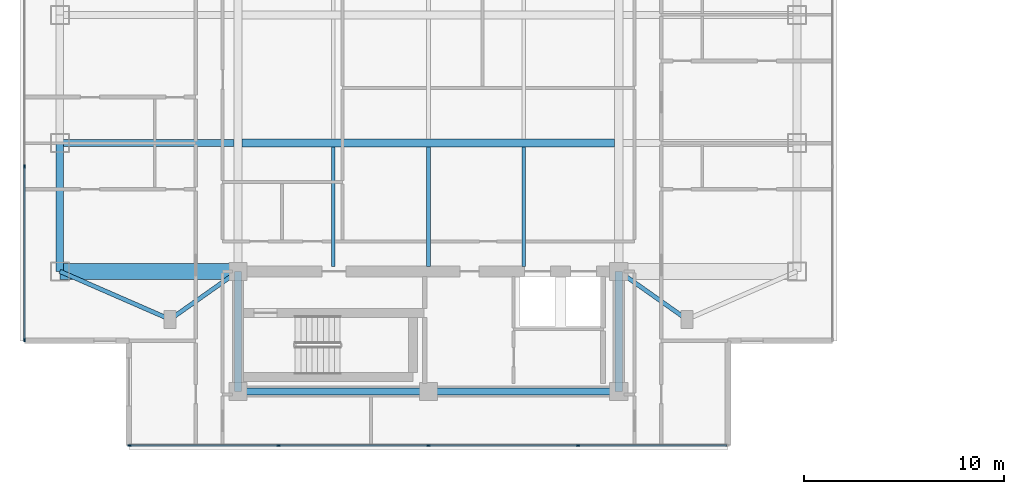
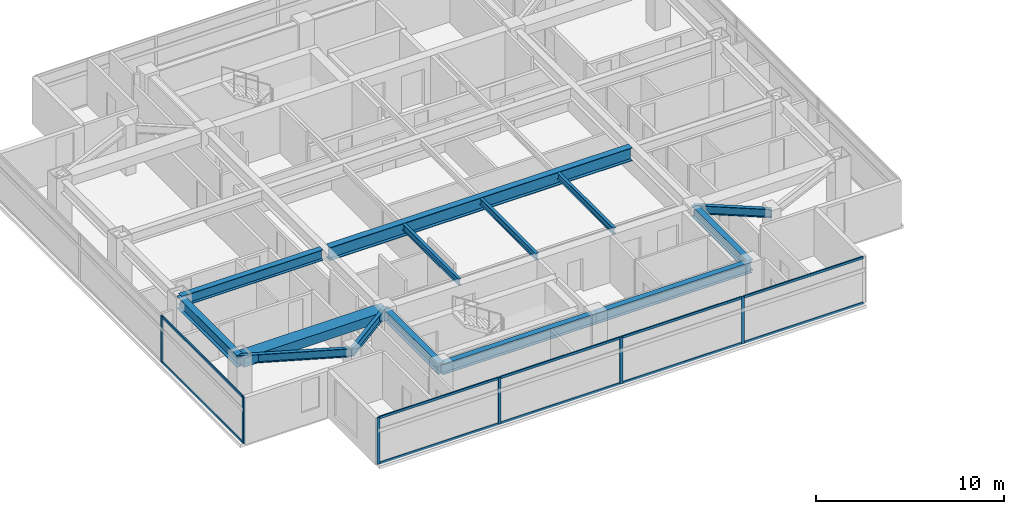
# One storey, part 2 of 24: 16 members, 14 beams, 2 elements without a shape of their own.
"""IFC4 building model written with IfcOpenShell, lengths in metres."""

import ifcopenshell
import ifcopenshell.guid

model = None  # the IFC model being written
_history = None  # IfcOwnerHistory: only IFC2X3 demands one
_inside = {}  # id of a spatial element -> (the spatial element, [elements in it])
_under = {}  # id of a project, library or spatial element -> (it, [spatial elements below it])
_declared = {}  # id of a project -> (the project, [libraries it declares])
_typed = {}  # id of a type object -> (the type object, [elements of that type])
_made_of = {}  # id of a material, layer set ... -> (it, [elements and type objects made of it])


def new_model(schema):
    """Start an empty IFC model of exactly this schema.

    Asked for "IFC4X3", IfcOpenShell would pick the latest addendum, in which some entities
    have other attributes; the version numbers below select the first issue.
    IFC2X3 requires an IfcOwnerHistory on every rooted entity: one is made here for all.
    """
    global model, _history
    if schema == "IFC4X3":
        model = ifcopenshell.file(schema_version=(4, 3, 0, 0))
    else:
        model = ifcopenshell.file(schema=schema)
    _inside.clear()
    _under.clear()
    _declared.clear()
    _typed.clear()
    _made_of.clear()
    _history = None
    if model.schema == "IFC2X3":
        org = make("IfcOrganization", Name="unknown")
        user = make(
            "IfcPersonAndOrganization",
            ThePerson=make("IfcPerson", FamilyName="unknown"),
            TheOrganization=org,
        )
        app = make(
            "IfcApplication",
            ApplicationDeveloper=org,
            Version="unknown",
            ApplicationFullName="unknown",
            ApplicationIdentifier="unknown",
        )
        _history = make(
            "IfcOwnerHistory",
            OwningUser=user,
            OwningApplication=app,
            ChangeAction="ADDED",
            CreationDate=0,
        )
    return model


def make(cls, **values):
    """One entity of the class cls with the attributes given. An attribute that is None is left unset."""
    return model.create_entity(
        cls, **{name: value for name, value in values.items() if value is not None}
    )


def rooted(cls, **values):
    """An entity with a GlobalId (a new one), such as an element, a storey or a relation."""
    return make(cls, GlobalId=ifcopenshell.guid.new(), OwnerHistory=_history, **values)


def si_unit(unit_type, name, prefix=None):
    """IfcSIUnit, for example si_unit("LENGTHUNIT", "METRE", prefix="MILLI")."""
    return make("IfcSIUnit", UnitType=unit_type, Prefix=prefix, Name=name)


def assignment(units):
    """IfcUnitAssignment: the units of a project."""
    return None if units is None else make("IfcUnitAssignment", Units=units)


def point(xyz):
    """IfcCartesianPoint."""
    return None if xyz is None else make("IfcCartesianPoint", Coordinates=xyz)


def direction(xyz):
    """IfcDirection."""
    return None if xyz is None else make("IfcDirection", DirectionRatios=xyz)


def frame(location, z_axis=None, x_axis=None):
    """IfcAxis2Placement3D, a coordinate frame: its origin and axes. An axis left out is left unset."""
    return make(
        "IfcAxis2Placement3D",
        Location=point(location),
        Axis=direction(z_axis),
        RefDirection=direction(x_axis),
    )


def frame_2d(location, x_axis=None):
    """IfcAxis2Placement2D, a coordinate frame in the plane: its origin and x axis."""
    return make(
        "IfcAxis2Placement2D", Location=point(location), RefDirection=direction(x_axis)
    )


def origin():
    """The frame at (0, 0, 0) with its axes left unset."""
    return frame((0.0, 0.0, 0.0))


def origin_2d():
    """The frame at (0, 0) in the plane with its x axis left unset."""
    return frame_2d((0.0, 0.0))


def place(relative_to, where):
    """IfcLocalPlacement: puts the frame where relative to a parent placement (None: the world)."""
    return make(
        "IfcLocalPlacement", PlacementRelTo=relative_to, RelativePlacement=where
    )


def context(
    kind, dimensions, precision=None, world=None, true_north=None, identifier=None
):
    """IfcGeometricRepresentationContext, for example the 3D "Model" context."""
    return make(
        "IfcGeometricRepresentationContext",
        ContextIdentifier=identifier,
        ContextType=kind,
        CoordinateSpaceDimension=dimensions,
        Precision=precision,
        WorldCoordinateSystem=world,
        TrueNorth=true_north,
    )


def subcontext(parent, identifier, kind, view, scale=None):
    """IfcGeometricRepresentationSubContext, for example "Body" below "Model"."""
    return make(
        "IfcGeometricRepresentationSubContext",
        ContextIdentifier=identifier,
        ContextType=kind,
        ParentContext=parent,
        TargetScale=scale,
        TargetView=view,
    )


def project(units=None, contexts=None):
    """IfcProject with its units and contexts."""
    return rooted(
        "IfcProject",
        Name="project",
        RepresentationContexts=contexts,
        UnitsInContext=assignment(units),
    )


def spatial(cls, under=None, at=None, **own):
    """A site, building, storey or space (cls), placed at a placement, below another one or the project."""
    s = rooted(cls, ObjectPlacement=at, **own)
    if under is not None:
        _under.setdefault(under.id(), (under, []))[1].append(s)
    return s


def profile(cls, at=None, kind="AREA", **sizes):
    """A parametric profile (cls). Its sizes go by their IFC names, for example OverallWidth=200.0."""
    return make(cls, ProfileType=kind, Position=at, **sizes)


def rectangle(**sizes):
    """IfcRectangleProfileDef."""
    return profile("IfcRectangleProfileDef", **sizes)


def i_section(**sizes):
    """IfcIShapeProfileDef."""
    return profile("IfcIShapeProfileDef", **sizes)


def extrude(swept, where, along, depth):
    """IfcExtrudedAreaSolid: the profile swept, set in the frame where, extruded along a direction by depth."""
    return make(
        "IfcExtrudedAreaSolid",
        SweptArea=swept,
        Position=where,
        ExtrudedDirection=direction(along),
        Depth=depth,
    )


def shape(context_of_items, identifier, shape_type, items):
    """IfcShapeRepresentation: the items that make up one representation, for example the "Body"."""
    return make(
        "IfcShapeRepresentation",
        ContextOfItems=context_of_items,
        RepresentationIdentifier=identifier,
        RepresentationType=shape_type,
        Items=items,
    )


def material(Name=None, Category=None):
    """IfcMaterial."""
    return make("IfcMaterial", Name=Name, Category=Category)


def material_profile(
    of_material, cross_section, Name=None, Category=None, Priority=None
):
    """IfcMaterialProfile: a cross section and its material."""
    return make(
        "IfcMaterialProfile",
        Name=Name,
        Material=of_material,
        Profile=cross_section,
        Priority=Priority,
        Category=Category,
    )


def profile_set(profiles, Name=None, composite=None):
    """IfcMaterialProfileSet."""
    return make(
        "IfcMaterialProfileSet",
        Name=Name,
        MaterialProfiles=profiles,
        CompositeProfile=composite,
    )


def made_of(thing, what):
    """Note that an element or type object is made of a material, layer set ...; save() writes the relation."""
    if what is not None:
        _made_of.setdefault(what.id(), (what, []))[1].append(thing)
    return thing


def type_object(cls, material=None, **own):
    """A type object (cls), such as IfcWallType, which elements share."""
    return made_of(rooted(cls, **own), material)


def element(
    cls,
    number,
    at=None,
    inside=None,
    cuts=None,
    type_object=None,
    material=None,
    context=None,
    identifier="Body",
    shape_type=None,
    held_by="IfcProductDefinitionShape",
    body=None,
    shapes=None,
    **own,
):
    """One element of the class cls, such as IfcWall. Its Tag is "e" and its number.

    at: its placement. inside: the storey or other place that contains it. cuts: it is an
    opening in that element (IfcRelVoidsElement). A single representation is given by context,
    identifier, shape_type and body (its items); several are given by shapes. held_by: the class
    of the entity that holds the representations. save() writes the other relations.
    """
    e = rooted(cls, Tag="e%d" % number, ObjectPlacement=at, **own)
    if body is not None:
        shapes = [shape(context, identifier, shape_type, body)]
    if shapes is not None:
        e.Representation = make(held_by, Representations=shapes)
    if inside is not None:
        _inside.setdefault(inside.id(), (inside, []))[1].append(e)
    if cuts is not None:
        rooted(
            "IfcRelVoidsElement", RelatingBuildingElement=cuts, RelatedOpeningElement=e
        )
    if type_object is not None:
        _typed.setdefault(type_object.id(), (type_object, []))[1].append(e)
    return made_of(e, material)


def aggregate(whole, parts):
    """IfcRelAggregates: a whole, such as a stair, and the parts it consists of."""
    return rooted("IfcRelAggregates", RelatingObject=whole, RelatedObjects=parts)


def save(model, path):
    """Write the relations noted so far, then the file.

    IfcRelAggregates (storeys below a building ...), IfcRelContainedInSpatialStructure (elements
    in a storey), IfcRelDefinesByType, IfcRelAssociatesMaterial and IfcRelDeclares: one each for
    every whole, place, type object, material and project.
    """
    for whole, parts in _under.values():
        aggregate(whole, parts)
    for where, things in _inside.values():
        rooted(
            "IfcRelContainedInSpatialStructure",
            RelatedElements=things,
            RelatingStructure=where,
        )
    for kind, things in _typed.values():
        rooted("IfcRelDefinesByType", RelatedObjects=things, RelatingType=kind)
    for what, things in _made_of.values():
        rooted("IfcRelAssociatesMaterial", RelatedObjects=things, RelatingMaterial=what)
    for by, libraries in _declared.values():
        rooted("IfcRelDeclares", RelatingContext=by, RelatedDefinitions=libraries)
    model.write(path)


model = new_model("IFC4")

# Units and contexts
model_context = context("Model", 3, precision=1e-05, world=origin(), true_north=direction((0.0, 1.0)))
body_context = subcontext(model_context, "Body", "Model", "MODEL_VIEW")
ifc_project = project(units=[si_unit("LENGTHUNIT", "METRE"), si_unit("AREAUNIT", "SQUARE_METRE"), si_unit("VOLUMEUNIT", "CUBIC_METRE"), si_unit("PLANEANGLEUNIT", "RADIAN"), si_unit("MASSUNIT", "GRAM", prefix="KILO")], contexts=[model_context])

# Site, building, storey
site_placement = place(None, origin())
site = spatial("IfcSite", under=ifc_project, at=site_placement, CompositionType="ELEMENT")
building_placement = place(site_placement, origin())
building = spatial("IfcBuilding", under=site, at=building_placement, Name="Mirazonda Arch Towers", CompositionType="ELEMENT")
storey_placement = place(building_placement, frame((0.0, 0.0, 193.39990234375)))
storey = spatial("IfcBuildingStorey", under=building, at=storey_placement, Name="L55", CompositionType="ELEMENT", Elevation=193.39990234375)

# Beams
ifc_material_1 = material(Name="Steel ASTM A992 Grade 50", Category="steel")
ifc_material_profile_1 = material_profile(ifc_material_1, i_section(OverallWidth=0.381103515625, OverallDepth=0.77294921875, WebThickness=0.0166015625, FlangeThickness=0.027099609375, at=origin_2d()), Name="W30X173")
ifc_profile_set_1 = profile_set([ifc_material_profile_1], Name="Steel ASTM A992 Grade 50")
beam_type_1 = type_object("IfcBeamType", Name="BM-EXT-W30X173", PredefinedType="USERDEFINED", material=ifc_profile_set_1)
beam_1_placement = place(storey_placement, frame((2.10009765625, 18.39990234375, 2.66357421875), z_axis=(0.0, 1.0, 0.0), x_axis=(-1.0, 0.0, 0.0)))
element("IfcBeam", 1, at=beam_1_placement, inside=storey, type_object=beam_type_1, Name="L55 Floor Beam BM-T1-L55-NS-W-18", ObjectType="GIRDER", PredefinedType="USERDEFINED", context=body_context, shape_type="SweptSolid", body=[
    extrude(i_section(OverallWidth=0.381103515625, OverallDepth=0.77294921875, WebThickness=0.0166015625, FlangeThickness=0.027099609375, at=origin_2d()), origin(), (0.0, 0.0, 1.0), 6.400146484375),
])
ifc_material_profile_2 = material_profile(ifc_material_1, i_section(OverallWidth=0.180908203125, OverallDepth=0.4169921875, WebThickness=0.010986328125, FlangeThickness=0.018310546875, at=origin_2d()), Name="W16X57")
ifc_profile_set_2 = profile_set([ifc_material_profile_2], Name="Steel ASTM A992 Grade 50")
beam_type_2 = type_object("IfcBeamType", Name="BM-INT-W16X57", PredefinedType="JOIST", material=ifc_profile_set_2)
for number, where, z_axis, x_axis, name in (
    (2, (15.75, 18.639892578125, 2.841552734375), (0.0, 1.0, 0.0), (-1.0, 0.0, 0.0), "L55 Floor Beam BM-T1-L55-J-157-18"),
    (3, (20.5, 18.639892578125, 2.841552734375), (0.0, 1.0, 0.0), (-1.0, 0.0, 0.0), "L55 Floor Beam BM-T1-L55-J-205-18"),
    (4, (25.25, 18.639892578125, 2.841552734375), (0.0, 1.0, 0.0), (-1.0, 0.0, 0.0), "L55 Floor Beam BM-T1-L55-J-252-18"),
):
    element("IfcBeam", number, at=place(storey_placement, frame(where, z_axis=z_axis, x_axis=x_axis)), inside=storey, type_object=beam_type_2, Name=name, PredefinedType="JOIST", context=body_context, shape_type="SweptSolid", body=[
        extrude(i_section(OverallWidth=0.180908203125, OverallDepth=0.4169921875, WebThickness=0.010986328125, FlangeThickness=0.018310546875, at=origin_2d()), origin(), (0.0, 0.0, 1.0), 5.964111328125),
    ])
ifc_material_profile_3 = material_profile(ifc_material_1, i_section(OverallWidth=0.214111328125, OverallDepth=0.549072265625, WebThickness=0.0146484375, FlangeThickness=0.023681640625, at=origin_2d()), Name="W21X93")
ifc_profile_set_3 = profile_set([ifc_material_profile_3], Name="Steel ASTM A992 Grade 50")
beam_type_3 = type_object("IfcBeamType", Name="BM-INT-W21X93", PredefinedType="BEAM", material=ifc_profile_set_3)
beam_2_placement = place(storey_placement, frame((7.60009765625, 16.0, 2.775634765625), z_axis=(0.816971114901, 0.576678591087, 0.0), x_axis=(-0.576678591087, 0.816971114901, 0.0)))
element("IfcBeam", 5, at=beam_2_placement, inside=storey, type_object=beam_type_3, Name="L55 Floor Beam BM-T1-L55-PL-SW1", PredefinedType="BEAM", context=body_context, shape_type="SweptSolid", body=[
    extrude(i_section(OverallWidth=0.214111328125, OverallDepth=0.549072265625, WebThickness=0.0146484375, FlangeThickness=0.023681640625, at=origin_2d()), origin(), (0.0, 0.0, 1.0), 4.16162109375),
])
beam_3_placement = place(storey_placement, frame((7.60009765625, 16.0, 2.775634765625), z_axis=(-0.916545343703, 0.399930785183, 0.0), x_axis=(-0.399930785183, -0.916545343703, 0.0)))
element("IfcBeam", 6, at=beam_3_placement, inside=storey, type_object=beam_type_3, Name="L55 Floor Beam BM-T1-L55-PL-SW2", PredefinedType="BEAM", context=body_context, shape_type="SweptSolid", body=[
    extrude(i_section(OverallWidth=0.214111328125, OverallDepth=0.549072265625, WebThickness=0.0146484375, FlangeThickness=0.023681640625, at=origin_2d()), origin(), (0.0, 0.0, 1.0), 6.000732421875),
])
beam_4_placement = place(storey_placement, frame((33.39990234375, 16.0, 2.775634765625), z_axis=(-0.816971114901, 0.576678591087, 0.0), x_axis=(-0.576678591087, -0.816971114901, 0.0)))
element("IfcBeam", 7, at=beam_4_placement, inside=storey, type_object=beam_type_3, Name="L55 Floor Beam BM-T1-L55-PL-SE1", PredefinedType="BEAM", context=body_context, shape_type="SweptSolid", body=[
    extrude(i_section(OverallWidth=0.214111328125, OverallDepth=0.549072265625, WebThickness=0.0146484375, FlangeThickness=0.023681640625, at=origin_2d()), origin(), (0.0, 0.0, 1.0), 4.16162109375),
])
ifc_material_profile_4 = material_profile(ifc_material_1, i_section(OverallWidth=0.35498046875, OverallDepth=0.696044921875, WebThickness=0.015380859375, FlangeThickness=0.02490234375, at=origin_2d()), Name="W27X146")
ifc_profile_set_4 = profile_set([ifc_material_profile_4], Name="Steel ASTM A992 Grade 50")
beam_type_4 = type_object("IfcBeamType", Name="BM-INT-W27X146", PredefinedType="BEAM", material=ifc_profile_set_4)
beam_5_placement = place(storey_placement, frame((2.10009765625, 24.800048828125, 2.7021484375), z_axis=(1.0, 0.0, 0.0), x_axis=(0.0, 1.0, 0.0)))
element("IfcBeam", 8, at=beam_5_placement, inside=storey, type_object=beam_type_4, Name="L55 Floor Beam BM-T1-L55-GW2", PredefinedType="BEAM", context=body_context, shape_type="SweptSolid", body=[
    extrude(i_section(OverallWidth=0.35498046875, OverallDepth=0.696044921875, WebThickness=0.015380859375, FlangeThickness=0.02490234375, at=origin_2d()), origin(), (0.0, 0.0, 1.0), 8.699951171875),
])
for number, where, z_axis, x_axis, name in (
    (9, (11.0, 12.39990234375, 2.7021484375), (1.0, 0.0, 0.0), (0.0, 1.0, 0.0), "L55 Floor Beam BM-T1-L55-CS1"),
    (10, (20.5, 12.39990234375, 2.7021484375), (1.0, 0.0, 0.0), (0.0, 1.0, 0.0), "L55 Floor Beam BM-T1-L55-CS2"),
):
    element("IfcBeam", number, at=place(storey_placement, frame(where, z_axis=z_axis, x_axis=x_axis)), inside=storey, type_object=beam_type_4, Name=name, PredefinedType="BEAM", context=body_context, shape_type="SweptSolid", body=[
        extrude(i_section(OverallWidth=0.35498046875, OverallDepth=0.696044921875, WebThickness=0.015380859375, FlangeThickness=0.02490234375, at=origin_2d()), origin(), (0.0, 0.0, 1.0), 9.5),
    ])
for number, where, z_axis, x_axis, name in (
    (11, (11.0, 12.39990234375, 2.7021484375), (0.0, 1.0, 0.0), (-1.0, 0.0, 0.0), "L55 Floor Beam BM-T1-L55-CSW"),
    (12, (30.0, 12.39990234375, 2.7021484375), (0.0, 1.0, 0.0), (-1.0, 0.0, 0.0), "L55 Floor Beam BM-T1-L55-CSE"),
):
    element("IfcBeam", number, at=place(storey_placement, frame(where, z_axis=z_axis, x_axis=x_axis)), inside=storey, type_object=beam_type_4, Name=name, PredefinedType="BEAM", context=body_context, shape_type="SweptSolid", body=[
        extrude(i_section(OverallWidth=0.35498046875, OverallDepth=0.696044921875, WebThickness=0.015380859375, FlangeThickness=0.02490234375, at=origin_2d()), origin(), (0.0, 0.0, 1.0), 6.0),
    ])
ifc_material_profile_5 = material_profile(ifc_material_1, i_section(OverallWidth=0.39990234375, OverallDepth=0.85595703125, WebThickness=0.018310546875, FlangeThickness=0.029296875, at=origin_2d()), Name="W33X201")
ifc_profile_set_5 = profile_set([ifc_material_profile_5], Name="Steel ASTM A992 Grade 50")
beam_type_5 = type_object("IfcBeamType", Name="BM-INT-W33X201", PredefinedType="USERDEFINED", material=ifc_profile_set_5)
beam_6_placement = place(storey_placement, frame((11.199951171875, 24.800048828125, 2.6220703125), z_axis=(1.0, 0.0, 0.0), x_axis=(0.0, 1.0, 0.0)))
element("IfcBeam", 13, at=beam_6_placement, inside=storey, type_object=beam_type_5, Name="L55 Floor Beam BM-T1-L55-GC2", ObjectType="GIRDER", PredefinedType="USERDEFINED", context=body_context, shape_type="SweptSolid", body=[
    extrude(i_section(OverallWidth=0.39990234375, OverallDepth=0.85595703125, WebThickness=0.018310546875, FlangeThickness=0.029296875, at=origin_2d()), origin(), (0.0, 0.0, 1.0), 18.60009765625),
])
ifc_material_2 = material(Name="Concrete C60/75", Category="concrete")
ifc_material_profile_6 = material_profile(ifc_material_2, rectangle(XDim=0.800048828125, YDim=0.60009765625, at=origin_2d()), Name="RCCB800x600")
ifc_profile_set_6 = profile_set([ifc_material_profile_6], Name="Concrete C60/75")
beam_type_6 = type_object("IfcBeamType", Name="CB-INT-RCCB800x600", PredefinedType="SPANDREL", material=ifc_profile_set_6)
beam_7_placement = place(storey_placement, frame((2.10009765625, 18.39990234375, 2.75), z_axis=(1.0, 0.0, 0.0), x_axis=(0.0, 1.0, 0.0)))
element("IfcBeam", 14, at=beam_7_placement, inside=storey, type_object=beam_type_6, Name="L55 Floor Beam CBC-T1-L55-SW", PredefinedType="SPANDREL", context=body_context, shape_type="SweptSolid", body=[
    extrude(rectangle(XDim=0.800048828125, YDim=0.60009765625, at=origin_2d()), origin(), (0.0, 0.0, 1.0), 8.89990234375),
])

# Curtain wall, members
ifc_material_3 = material(Name="Anodised Aluminium and Low-E Glass", Category="aluminium")
curtain_wall_type = type_object("IfcCurtainWallType", Name="CW-RES-UNIT", PredefinedType="NOTDEFINED", material=ifc_material_3)
curtain_wall_1_placement = place(storey_placement, origin())
curtain_wall_1 = element("IfcCurtainWall", 15, at=curtain_wall_1_placement, inside=storey, type_object=curtain_wall_type, Name="L55 T1 S Facade CW-L55-T1-S", PredefinedType="NOTDEFINED")
ifc_material_4 = material(Name="Anodised Aluminium Alloy", Category="aluminium")
ifc_material_profile_7 = material_profile(ifc_material_4, rectangle(XDim=0.074951171875, YDim=0.175048828125, at=origin_2d()), Name="ALU-MULL-75x175")
ifc_profile_set_7 = profile_set([ifc_material_profile_7], Name="Anodised Aluminium Alloy")
member_type_1 = type_object("IfcMemberType", Name="MULL-CW-RES-UNIT", PredefinedType="MULLION", material=ifc_profile_set_7)
member_1_placement = place(storey_placement, frame((27.9775390625, 9.716064453125, 0.0), z_axis=(0.0, 0.0, 1.0), x_axis=(0.0, -1.0, 0.0)))
member_1 = element("IfcMember", 16, at=member_1_placement, type_object=member_type_1, Name="CW-104 mullion 2", PredefinedType="MULLION", context=body_context, shape_type="SweptSolid", body=[
    extrude(rectangle(XDim=0.074951171875, YDim=0.175048828125, at=origin_2d()), origin(), (0.0, 0.0, 1.0), 3.030029296875),
])
member_2_placement = place(storey_placement, frame((20.5, 9.716064453125, 0.0), z_axis=(0.0, 0.0, 1.0), x_axis=(0.0, -1.0, 0.0)))
member_2 = element("IfcMember", 17, at=member_2_placement, type_object=member_type_1, Name="CW-104 mullion 3", PredefinedType="MULLION", context=body_context, shape_type="SweptSolid", body=[
    extrude(rectangle(XDim=0.074951171875, YDim=0.175048828125, at=origin_2d()), origin(), (0.0, 0.0, 1.0), 3.030029296875),
])
member_3_placement = place(storey_placement, frame((13.0224609375, 9.716064453125, 0.0), z_axis=(0.0, 0.0, 1.0), x_axis=(0.0, -1.0, 0.0)))
member_3 = element("IfcMember", 18, at=member_3_placement, type_object=member_type_1, Name="CW-104 mullion 4", PredefinedType="MULLION", context=body_context, shape_type="SweptSolid", body=[
    extrude(rectangle(XDim=0.074951171875, YDim=0.175048828125, at=origin_2d()), origin(), (0.0, 0.0, 1.0), 3.030029296875),
])
member_4_placement = place(storey_placement, frame((5.58251953125, 9.716064453125, 0.0), z_axis=(0.0, 0.0, 1.0), x_axis=(0.0, -1.0, 0.0)))
member_4 = element("IfcMember", 19, at=member_4_placement, type_object=member_type_1, Name="CW-104 mullion 5", PredefinedType="MULLION", context=body_context, shape_type="SweptSolid", body=[
    extrude(rectangle(XDim=0.074951171875, YDim=0.175048828125, at=origin_2d()), origin(), (0.0, 0.0, 1.0), 3.030029296875),
])

curtain_wall_2_placement = place(storey_placement, origin())
curtain_wall_2 = element("IfcCurtainWall", 20, at=curtain_wall_2_placement, inside=storey, type_object=curtain_wall_type, Name="L55 T1 W Facade CW-L55-T1-W", PredefinedType="NOTDEFINED")
member_5_placement = place(storey_placement, frame((0.330078125, 23.6435546875, 0.0), z_axis=(0.0, 0.0, 1.0), x_axis=(1.0, 0.0, 0.0)))
member_5 = element("IfcMember", 21, at=member_5_placement, type_object=member_type_1, Name="CW-104 mullion 3", PredefinedType="MULLION", context=body_context, shape_type="SweptSolid", body=[
    extrude(rectangle(XDim=0.074951171875, YDim=0.175048828125, at=origin_2d()), origin(), (0.0, 0.0, 1.0), 3.030029296875),
])
member_6_placement = place(storey_placement, frame((0.330078125, 14.968505859375, 0.0), z_axis=(0.0, 0.0, 1.0), x_axis=(1.0, 0.0, 0.0)))
member_6 = element("IfcMember", 22, at=member_6_placement, type_object=member_type_1, Name="CW-104 mullion 4", PredefinedType="MULLION", context=body_context, shape_type="SweptSolid", body=[
    extrude(rectangle(XDim=0.074951171875, YDim=0.175048828125, at=origin_2d()), origin(), (0.0, 0.0, 1.0), 3.030029296875),
])

# Member
ifc_material_profile_8 = material_profile(ifc_material_4, rectangle(XDim=0.074951171875, YDim=0.155029296875, at=origin_2d()), Name="ALU-TRAN-75x155")
ifc_profile_set_8 = profile_set([ifc_material_profile_8], Name="Anodised Aluminium Alloy")
member_type_2 = type_object("IfcMemberType", Name="TRAN-CW-RES-UNIT", PredefinedType="USERDEFINED", material=ifc_profile_set_8)
member_7_placement = place(storey_placement, frame((35.3798828125, 9.716064453125, 0.03759765625), z_axis=(-1.0, 0.0, 0.0), x_axis=(0.0, -1.0, 0.0)))
member_7 = element("IfcMember", 23, at=member_7_placement, type_object=member_type_2, Name="CW-104 transom 1.1", ObjectType="TRANSOM", PredefinedType="USERDEFINED", context=body_context, shape_type="SweptSolid", body=[
    extrude(rectangle(XDim=0.074951171875, YDim=0.155029296875, at=origin_2d()), origin(), (0.0, 0.0, 1.0), 7.364990234375),
])

member_8_placement = place(storey_placement, frame((35.3798828125, 9.716064453125, 2.99267578125), z_axis=(-1.0, 0.0, 0.0), x_axis=(0.0, -1.0, 0.0)))
member_8 = element("IfcMember", 24, at=member_8_placement, type_object=member_type_2, Name="CW-104 transom 1.2", ObjectType="TRANSOM", PredefinedType="USERDEFINED", context=body_context, shape_type="SweptSolid", body=[
    extrude(rectangle(XDim=0.074951171875, YDim=0.155029296875, at=origin_2d()), origin(), (0.0, 0.0, 1.0), 7.364990234375),
])

member_9_placement = place(storey_placement, frame((27.93994140625, 9.716064453125, 0.03759765625), z_axis=(-1.0, 0.0, 0.0), x_axis=(0.0, -1.0, 0.0)))
member_9 = element("IfcMember", 25, at=member_9_placement, type_object=member_type_2, Name="CW-104 transom 2.1", ObjectType="TRANSOM", PredefinedType="USERDEFINED", context=body_context, shape_type="SweptSolid", body=[
    extrude(rectangle(XDim=0.074951171875, YDim=0.155029296875, at=origin_2d()), origin(), (0.0, 0.0, 1.0), 7.40234375),
])

member_10_placement = place(storey_placement, frame((27.93994140625, 9.716064453125, 2.99267578125), z_axis=(-1.0, 0.0, 0.0), x_axis=(0.0, -1.0, 0.0)))
member_10 = element("IfcMember", 26, at=member_10_placement, type_object=member_type_2, Name="CW-104 transom 2.2", ObjectType="TRANSOM", PredefinedType="USERDEFINED", context=body_context, shape_type="SweptSolid", body=[
    extrude(rectangle(XDim=0.074951171875, YDim=0.155029296875, at=origin_2d()), origin(), (0.0, 0.0, 1.0), 7.40234375),
])

member_11_placement = place(storey_placement, frame((20.46240234375, 9.716064453125, 0.03759765625), z_axis=(-1.0, 0.0, 0.0), x_axis=(0.0, -1.0, 0.0)))
member_11 = element("IfcMember", 27, at=member_11_placement, type_object=member_type_2, Name="CW-104 transom 3.1", ObjectType="TRANSOM", PredefinedType="USERDEFINED", context=body_context, shape_type="SweptSolid", body=[
    extrude(rectangle(XDim=0.074951171875, YDim=0.155029296875, at=origin_2d()), origin(), (0.0, 0.0, 1.0), 7.40234375),
])

member_12_placement = place(storey_placement, frame((20.46240234375, 9.716064453125, 2.99267578125), z_axis=(-1.0, 0.0, 0.0), x_axis=(0.0, -1.0, 0.0)))
member_12 = element("IfcMember", 28, at=member_12_placement, type_object=member_type_2, Name="CW-104 transom 3.2", ObjectType="TRANSOM", PredefinedType="USERDEFINED", context=body_context, shape_type="SweptSolid", body=[
    extrude(rectangle(XDim=0.074951171875, YDim=0.155029296875, at=origin_2d()), origin(), (0.0, 0.0, 1.0), 7.40234375),
])

member_13_placement = place(storey_placement, frame((12.985107421875, 9.716064453125, 0.03759765625), z_axis=(-1.0, 0.0, 0.0), x_axis=(0.0, -1.0, 0.0)))
member_13 = element("IfcMember", 29, at=member_13_placement, type_object=member_type_2, Name="CW-104 transom 4.1", ObjectType="TRANSOM", PredefinedType="USERDEFINED", context=body_context, shape_type="SweptSolid", body=[
    extrude(rectangle(XDim=0.074951171875, YDim=0.155029296875, at=origin_2d()), origin(), (0.0, 0.0, 1.0), 7.364990234375),
])

member_14_placement = place(storey_placement, frame((12.985107421875, 9.716064453125, 2.99267578125), z_axis=(-1.0, 0.0, 0.0), x_axis=(0.0, -1.0, 0.0)))
member_14 = element("IfcMember", 30, at=member_14_placement, type_object=member_type_2, Name="CW-104 transom 4.2", ObjectType="TRANSOM", PredefinedType="USERDEFINED", context=body_context, shape_type="SweptSolid", body=[
    extrude(rectangle(XDim=0.074951171875, YDim=0.155029296875, at=origin_2d()), origin(), (0.0, 0.0, 1.0), 7.364990234375),
])

aggregate(curtain_wall_1, [member_1, member_2, member_3, member_4, member_7, member_8, member_9, member_10, member_11, member_12, member_13, member_14])

member_15_placement = place(storey_placement, frame((0.330078125, 23.606201171875, 0.03759765625), z_axis=(0.0, -1.0, 0.0), x_axis=(1.0, 0.0, 0.0)))
member_15 = element("IfcMember", 31, at=member_15_placement, type_object=member_type_2, Name="CW-104 transom 3.1", ObjectType="TRANSOM", PredefinedType="USERDEFINED", context=body_context, shape_type="SweptSolid", body=[
    extrude(rectangle(XDim=0.074951171875, YDim=0.155029296875, at=origin_2d()), origin(), (0.0, 0.0, 1.0), 8.60009765625),
])

member_16_placement = place(storey_placement, frame((0.330078125, 23.606201171875, 2.99267578125), z_axis=(0.0, -1.0, 0.0), x_axis=(1.0, 0.0, 0.0)))
member_16 = element("IfcMember", 32, at=member_16_placement, type_object=member_type_2, Name="CW-104 transom 3.2", ObjectType="TRANSOM", PredefinedType="USERDEFINED", context=body_context, shape_type="SweptSolid", body=[
    extrude(rectangle(XDim=0.074951171875, YDim=0.155029296875, at=origin_2d()), origin(), (0.0, 0.0, 1.0), 8.60009765625),
])

aggregate(curtain_wall_2, [member_5, member_6, member_15, member_16])

save(model, "model.ifc")
